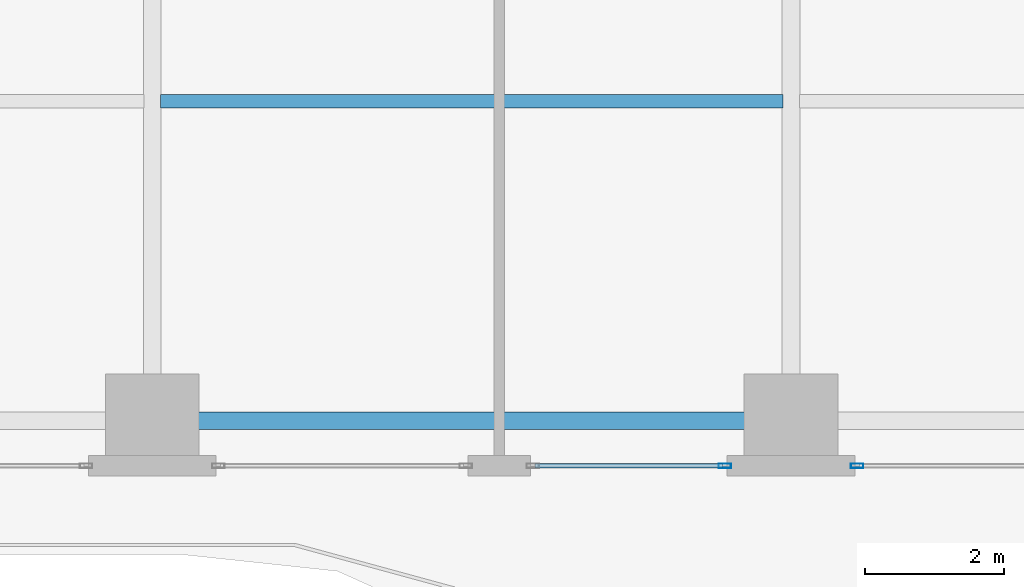
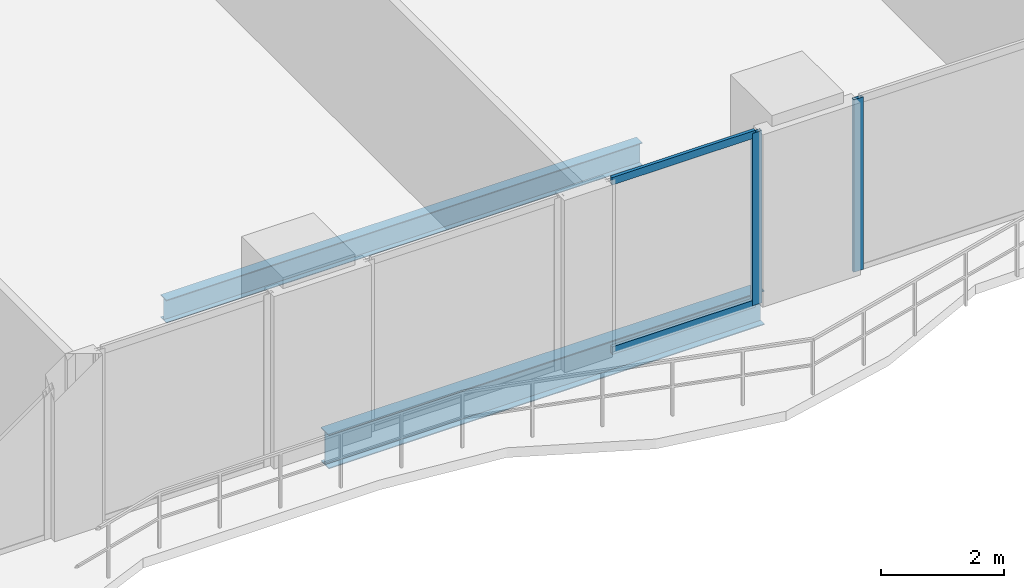
# One storey, part 5 of 27: 4 members, 2 beams, 2 elements without a shape of their own.
"""IFC4 building model written with IfcOpenShell, lengths in metres."""

from ifc_helpers import new_model, si_unit, direction, frame, origin, origin_2d, place, context, subcontext, project, spatial, hollow_rectangle, i_section, extrude, material, layer, layer_set, material_profile, profile_set, type_object, element, aggregate, save


model = new_model("IFC4")

# Units and contexts
model_context = context("Model", 3, precision=1e-05, world=origin(), true_north=direction((0.0, 1.0)))
body_context = subcontext(model_context, "Body", "Model", "MODEL_VIEW")
ifc_project = project(units=[si_unit("LENGTHUNIT", "METRE"), si_unit("AREAUNIT", "SQUARE_METRE"), si_unit("VOLUMEUNIT", "CUBIC_METRE"), si_unit("PLANEANGLEUNIT", "RADIAN"), si_unit("MASSUNIT", "GRAM", prefix="KILO")], contexts=[model_context])

# Site, building, storey
site_placement = place(None, origin())
site = spatial("IfcSite", under=ifc_project, at=site_placement, CompositionType="ELEMENT")
building_placement = place(site_placement, origin())
building = spatial("IfcBuilding", under=site, at=building_placement, Name="Zuhayl Quay Hotel", CompositionType="ELEMENT")
storey_placement = place(building_placement, frame((0.0, 0.0, 124.85009765625)))
storey = spatial("IfcBuildingStorey", under=building, at=storey_placement, Name="L31", CompositionType="ELEMENT", Elevation=124.85009765625)

# Beams
ifc_material_1 = material(Name="Steel ASTM A992 Grade 50", Category="steel")
ifc_material_profile_1 = material_profile(ifc_material_1, i_section(OverallWidth=0.25390625, OverallDepth=0.68310546875, WebThickness=0.012451171875, FlangeThickness=0.018798828125, at=origin_2d()), Name="W27X94")
ifc_profile_set_1 = profile_set([ifc_material_profile_1], Name="Steel ASTM A992 Grade 50")
beam_type_1 = type_object("IfcBeamType", Name="BM_B2_W27X94", PredefinedType="BEAM", material=ifc_profile_set_1)
beam_1_placement = place(storey_placement, frame((-4.10009765625, -14.75, -0.5615234375), z_axis=(1.0, 0.0, 0.0), x_axis=(0.0, 1.0, 0.0)))
element("IfcBeam", 1, at=beam_1_placement, inside=storey, type_object=beam_type_1, Name="L31 Floor Beam RG_L31_02", PredefinedType="BEAM", context=body_context, shape_type="SweptSolid", body=[
    extrude(i_section(OverallWidth=0.25390625, OverallDepth=0.68310546875, WebThickness=0.012451171875, FlangeThickness=0.018798828125, at=origin_2d()), origin(), (0.0, 0.0, 1.0), 8.2001953125),
])
ifc_material_profile_2 = material_profile(ifc_material_1, i_section(OverallWidth=0.18994140625, OverallDepth=0.45703125, WebThickness=0.009033203125, FlangeThickness=0.014404296875, at=origin_2d()), Name="W18X50")
ifc_profile_set_2 = profile_set([ifc_material_profile_2], Name="Steel ASTM A992 Grade 50")
beam_type_2 = type_object("IfcBeamType", Name="BM_J2_W18X50", PredefinedType="JOIST", material=ifc_profile_set_2)
beam_2_placement = place(storey_placement, frame((-4.48095703125, -10.14990234375, -0.448486328125), z_axis=(1.0, 0.0, 0.0), x_axis=(0.0, 1.0, 0.0)))
element("IfcBeam", 2, at=beam_2_placement, inside=storey, type_object=beam_type_2, Name="L31 Floor Beam FJ_L31_5_2", PredefinedType="JOIST", context=body_context, shape_type="SweptSolid", body=[
    extrude(i_section(OverallWidth=0.18994140625, OverallDepth=0.45703125, WebThickness=0.009033203125, FlangeThickness=0.014404296875, at=origin_2d()), origin(), (0.0, 0.0, 1.0), 8.9619140625),
])

# Curtain wall, member
ifc_material_2 = material(Name="Anodised Aluminium 6063-T6", Category="aluminium")
ifc_layer = layer(ifc_material_2, 0.179931640625, Name="Anodised Aluminium 6063-T6", Category="aluminium")
ifc_layer_set = layer_set([ifc_layer], Name="Anodised Aluminium 6063-T6")
curtain_wall_type = type_object("IfcCurtainWallType", Name="CW_SYS_Z2", PredefinedType="USERDEFINED", material=ifc_layer_set)
curtain_wall_1_placement = place(storey_placement, origin())
curtain_wall_1 = element("IfcCurtainWall", 3, at=curtain_wall_1_placement, inside=storey, type_object=curtain_wall_type, Name="L31 Curtain Wall ENV_L31_S_CW3", ObjectType="UNITISED CURTAIN WALL", PredefinedType="USERDEFINED")
ifc_material_3 = material(Name="Black-anodised aluminium 6063-T6", Category="aluminium")
ifc_material_profile_3 = material_profile(ifc_material_3, hollow_rectangle(XDim=0.06494140625, YDim=0.179931640625, WallThickness=0.00341796875, at=origin_2d()), Name="ALU180X65")
ifc_profile_set_3 = profile_set([ifc_material_profile_3], Name="Black-anodised aluminium 6063-T6")
member_type_1 = type_object("IfcMemberType", Name="MB_CW_MUL_180", PredefinedType="MULLION", material=ifc_profile_set_3)
member_1_placement = place(storey_placement, frame((5.552490234375, -15.39990234375, 0.0), z_axis=(0.0, 0.0, 1.0), x_axis=(0.0, -1.0, 0.0)))
member_1 = element("IfcMember", 4, at=member_1_placement, type_object=member_type_1, Name="CW-Z2 mullion 2", PredefinedType="MULLION", context=body_context, shape_type="SweptSolid", body=[
    extrude(hollow_rectangle(XDim=0.06494140625, YDim=0.179931640625, WallThickness=0.00341796875, at=origin_2d()), origin(), (0.0, 0.0, 1.0), 3.429931640625),
])
aggregate(curtain_wall_1, [member_1])

# Curtain wall, members
curtain_wall_2_placement = place(storey_placement, origin())
curtain_wall_2 = element("IfcCurtainWall", 5, at=curtain_wall_2_placement, inside=storey, type_object=curtain_wall_type, Name="L31 Curtain Wall ENV_L31_S_CW4", ObjectType="UNITISED CURTAIN WALL", PredefinedType="USERDEFINED")
member_2_placement = place(storey_placement, frame((3.6474609375, -15.39990234375, 0.0), z_axis=(0.0, 0.0, 1.0), x_axis=(0.0, -1.0, 0.0)))
member_2 = element("IfcMember", 6, at=member_2_placement, type_object=member_type_1, Name="CW-Z2 mullion 1", PredefinedType="MULLION", context=body_context, shape_type="SweptSolid", body=[
    extrude(hollow_rectangle(XDim=0.06494140625, YDim=0.179931640625, WallThickness=0.00341796875, at=origin_2d()), origin(), (0.0, 0.0, 1.0), 3.429931640625),
])
ifc_material_profile_4 = material_profile(ifc_material_3, hollow_rectangle(XDim=0.06005859375, YDim=0.14990234375, WallThickness=0.00341796875, at=origin_2d()), Name="ALU150X60")
ifc_profile_set_4 = profile_set([ifc_material_profile_4], Name="Black-anodised aluminium 6063-T6")
member_type_2 = type_object("IfcMemberType", Name="MB_CW_TRN_150", PredefinedType="USERDEFINED", material=ifc_profile_set_4)
member_3_placement = place(storey_placement, frame((3.614990234375, -15.39990234375, 0.02978515625), z_axis=(-1.0, 0.0, 0.0), x_axis=(0.0, -1.0, 0.0)))
member_3 = element("IfcMember", 7, at=member_3_placement, type_object=member_type_2, Name="CW-Z2 transom 1.1", ObjectType="TRANSOM", PredefinedType="USERDEFINED", context=body_context, shape_type="SweptSolid", body=[
    extrude(hollow_rectangle(XDim=0.06005859375, YDim=0.14990234375, WallThickness=0.00341796875, at=origin_2d()), origin(), (0.0, 0.0, 1.0), 2.699951171875),
])
member_4_placement = place(storey_placement, frame((3.614990234375, -15.39990234375, 3.39990234375), z_axis=(-1.0, 0.0, 0.0), x_axis=(0.0, -1.0, 0.0)))
member_4 = element("IfcMember", 8, at=member_4_placement, type_object=member_type_2, Name="CW-Z2 transom 1.2", ObjectType="TRANSOM", PredefinedType="USERDEFINED", context=body_context, shape_type="SweptSolid", body=[
    extrude(hollow_rectangle(XDim=0.06005859375, YDim=0.14990234375, WallThickness=0.00341796875, at=origin_2d()), origin(), (0.0, 0.0, 1.0), 2.699951171875),
])
aggregate(curtain_wall_2, [member_2, member_3, member_4])

save(model, "model.ifc")
